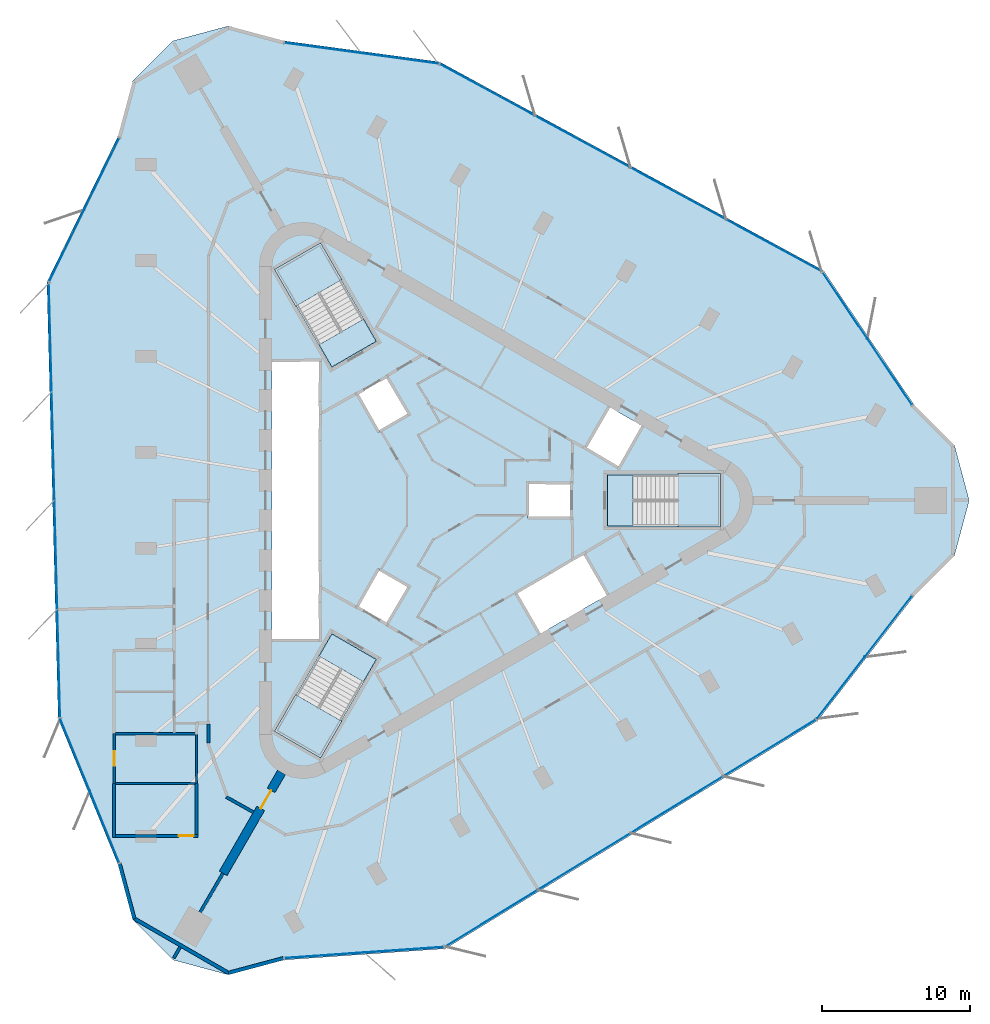
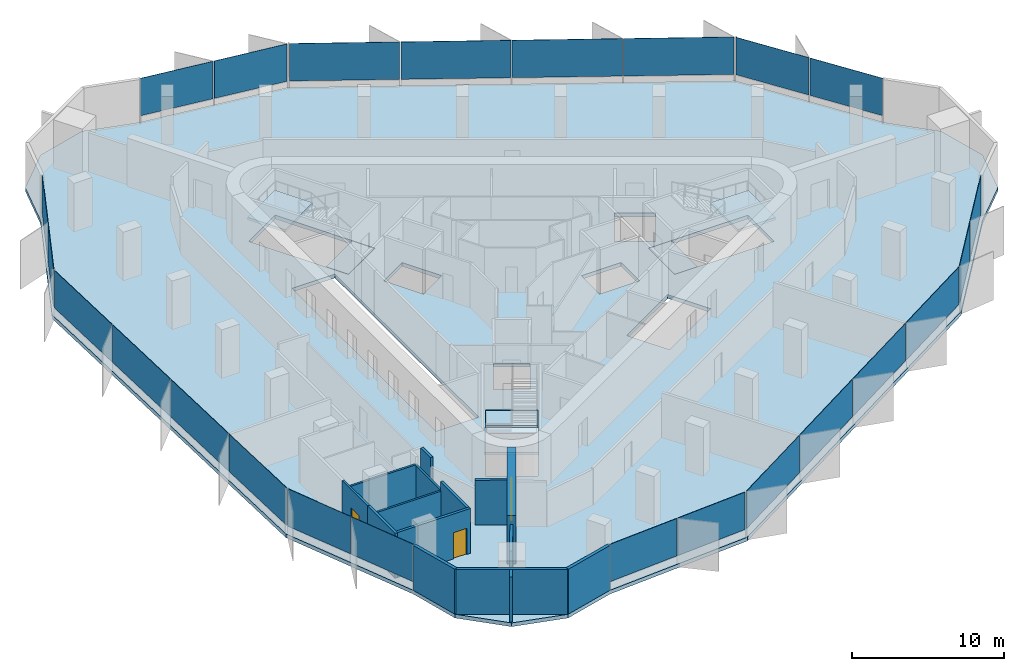
# One storey, part 6 of 12: 24 plates, 15 walls, 7 slabs, 3 doors, 3 openings, 12 elements without a shape of their own.
"""IFC4 building model written with IfcOpenShell, lengths in metres."""

from ifc_helpers import new_model, si_unit, direction, frame, frame_2d, origin, origin_2d, place, context, subcontext, project, spatial, polyline, rectangle, outline, extrude, material, layer, layer_set, type_object, element, fill, aggregate, save


model = new_model("IFC4")

# Units and contexts
model_context = context("Model", 3, precision=1e-05, world=origin(), true_north=direction((0.0, 1.0)))
body_context = subcontext(model_context, "Body", "Model", "MODEL_VIEW")
ifc_project = project(units=[si_unit("LENGTHUNIT", "METRE"), si_unit("AREAUNIT", "SQUARE_METRE"), si_unit("VOLUMEUNIT", "CUBIC_METRE"), si_unit("PLANEANGLEUNIT", "RADIAN"), si_unit("MASSUNIT", "GRAM", prefix="KILO")], contexts=[model_context])

# Site, building, storey
site_placement = place(None, origin())
site = spatial("IfcSite", under=ifc_project, at=site_placement, CompositionType="ELEMENT")
building_placement = place(site_placement, origin())
building = spatial("IfcBuilding", under=site, at=building_placement, Name="Tanit Gate Tower", CompositionType="ELEMENT")
storey_placement = place(building_placement, frame((0.0, 0.0, 353.300048828125)))
storey = spatial("IfcBuildingStorey", under=building, at=storey_placement, Name="L80", CompositionType="ELEMENT", Elevation=353.300048828125)

# Slab
ifc_material_1 = material(Name="Concrete C35/45", Category="concrete")
ifc_layer_1 = layer(ifc_material_1, 0.300048828125)
ifc_layer_set_1 = layer_set([ifc_layer_1], Name="FLOOR SLAB 300 C35/45")
slab_type_1 = type_object("IfcSlabType", Name="FLOOR SLAB 300 C35/45", PredefinedType="FLOOR", material=ifc_layer_set_1)
slab_1_placement = place(storey_placement, frame((0.0, 0.0, -0.300048828125)))
element("IfcSlab", 1, at=slab_1_placement, inside=storey, type_object=slab_type_1, Name="FLOOR SLAB L80", PredefinedType="FLOOR", context=body_context, shape_type="SweptSolid", body=[
    extrude(outline(polyline([(32.01708984375, 6.447021484375), (34.741943359375, 3.72216796875), (35.7392578125, 0.0), (34.741943359375, -3.72216796875), (32.01708984375, -6.447021484375), (25.5380859375, -14.828125), (0.45361328125, -30.19091796875), (-10.42529296875, -30.951171875), (-14.1474609375, -31.948486328125), (-17.86962890625, -30.951171875), (-20.594482421875, -28.226318359375), (-21.591796875, -24.50439453125), (-25.610595703125, -14.70263671875), (-26.373046875, 14.70263671875), (-21.591796875, 24.50439453125), (-20.594482421875, 28.226318359375), (-17.86962890625, 30.951171875), (-14.1474609375, 31.948486328125), (-10.42529296875, 30.951171875), (0.072509765625, 29.530517578125), (25.919189453125, 15.48828125), (32.01708984375, 6.447021484375)]), holes=[polyline([(11.3701171875, 1.72998046875), (18.929931640625, 1.72998046875), (18.929931640625, -1.72998046875), (11.3701171875, -1.72998046875), (11.3701171875, 1.72998046875)]), polyline([(12.158935546875, 2.159912109375), (9.82080078125, 3.510009765625), (11.44580078125, 6.324462890625), (13.783935546875, 4.974609375), (12.158935546875, 2.159912109375)]), polyline([(11.44580078125, -6.324462890625), (6.76904296875, -9.0244140625), (5.14404296875, -6.2099609375), (9.82080078125, -3.510009765625), (11.44580078125, -6.324462890625)]), polyline([(6.0, 1.199951171875), (9.0, 1.199951171875), (9.0, -1.199951171875), (6.0, -1.199951171875), (6.0, 1.199951171875)]), polyline([(-4.039306640625, 4.59619140625), (-5.539306640625, 7.194091796875), (-3.460693359375, 8.394287109375), (-1.960693359375, 5.796142578125), (-4.039306640625, 4.59619140625)]), polyline([(-1.960693359375, -5.796142578125), (-3.460693359375, -8.394287109375), (-5.539306640625, -7.194091796875), (-4.039306640625, -4.59619140625), (-1.960693359375, -5.796142578125)]), polyline([(-7.18310546875, 8.981689453125), (-10.963134765625, 15.52880859375), (-7.966796875, 17.2587890625), (-4.186767578125, 10.711669921875), (-7.18310546875, 8.981689453125)]), polyline([(-4.186767578125, -10.711669921875), (-7.966796875, -17.2587890625), (-10.963134765625, -15.52880859375), (-7.18310546875, -8.981689453125), (-4.186767578125, -10.711669921875)]), polyline([(-11.199951171875, -9.449951171875), (-11.199951171875, 9.449951171875), (-7.949951171875, 9.449951171875), (-7.949951171875, -9.449951171875), (-11.199951171875, -9.449951171875)])]), origin(), (0.0, 0.0, 1.0), 0.300048828125),
])

# Curtain wall, plates
ifc_material_2 = material(Name="Aluminium bronze anodised and glass", Category="aluminium")
curtain_wall_type = type_object("IfcCurtainWallType", Name="Curtain wall typical high", PredefinedType="NOTDEFINED", material=ifc_material_2)
curtain_wall_1_placement = place(storey_placement, origin())
curtain_wall_1 = element("IfcCurtainWall", 2, at=curtain_wall_1_placement, inside=storey, type_object=curtain_wall_type, Name="Curtain wall L80 NE1", PredefinedType="NOTDEFINED")
ifc_material_3 = material(Name="Glass tinted", Category="glass")
ifc_layer_2 = layer(ifc_material_3, 0.028076171875)
ifc_layer_set_2 = layer_set([ifc_layer_2], Name="Glass panel 28 typical high")
plate_type = type_object("IfcPlateType", Name="Glass panel 28 typical high", PredefinedType="CURTAIN_PANEL", material=ifc_layer_set_2)
plate_1_placement = place(storey_placement, frame((30.39111328125, 8.6435546875, 0.599853515625), z_axis=(0.0, 0.0, 1.0), x_axis=(-0.559147523084, 0.829068180206, 0.0)))
plate_1 = element("IfcPlate", 3, at=plate_1_placement, type_object=plate_type, Name="Glass panel L80 NE1.1", PredefinedType="CURTAIN_PANEL", context=body_context, shape_type="SweptSolid", body=[
    extrude(rectangle(XDim=5.323974609375, YDim=0.028076171875, at=origin_2d()), origin(), (0.0, 0.0, 1.0), 3.0),
])
plate_2_placement = place(storey_placement, frame((27.369384765625, 13.123779296875, 0.599853515625), z_axis=(0.0, 0.0, 1.0), x_axis=(-0.559147523084, 0.829068180206, 0.0)))
plate_2 = element("IfcPlate", 4, at=plate_2_placement, type_object=plate_type, Name="Glass panel L80 NE1.2", PredefinedType="CURTAIN_PANEL", context=body_context, shape_type="SweptSolid", body=[
    extrude(rectangle(XDim=5.323974609375, YDim=0.028076171875, at=origin_2d()), origin(), (0.0, 0.0, 1.0), 3.0),
])
aggregate(curtain_wall_1, [plate_1, plate_2])

curtain_wall_2_placement = place(storey_placement, origin())
curtain_wall_2 = element("IfcCurtainWall", 5, at=curtain_wall_2_placement, inside=storey, type_object=curtain_wall_type, Name="Curtain wall L80 NE2", PredefinedType="NOTDEFINED")
plate_3_placement = place(storey_placement, frame((22.584716796875, 17.16357421875, 0.599853515625), z_axis=(0.0, 0.0, 1.0), x_axis=(-0.87869633876, 0.477381131015, 0.0)))
plate_3 = element("IfcPlate", 6, at=plate_3_placement, type_object=plate_type, Name="Glass panel L80 NE2.1", PredefinedType="CURTAIN_PANEL", context=body_context, shape_type="SweptSolid", body=[
    extrude(rectangle(XDim=7.240966796875, YDim=0.028076171875, at=origin_2d()), origin(), (0.0, 0.0, 1.0), 3.0),
])
plate_4_placement = place(storey_placement, frame((16.15185546875, 20.658447265625, 0.599853515625), z_axis=(0.0, 0.0, 1.0), x_axis=(-0.87869633876, 0.477381131015, 0.0)))
plate_4 = element("IfcPlate", 7, at=plate_4_placement, type_object=plate_type, Name="Glass panel L80 NE2.2", PredefinedType="CURTAIN_PANEL", context=body_context, shape_type="SweptSolid", body=[
    extrude(rectangle(XDim=7.240966796875, YDim=0.028076171875, at=origin_2d()), origin(), (0.0, 0.0, 1.0), 3.0),
])
plate_5_placement = place(storey_placement, frame((9.718994140625, 24.1533203125, 0.599853515625), z_axis=(0.0, 0.0, 1.0), x_axis=(-0.87869633876, 0.477381131015, 0.0)))
plate_5 = element("IfcPlate", 8, at=plate_5_placement, type_object=plate_type, Name="Glass panel L80 NE2.3", PredefinedType="CURTAIN_PANEL", context=body_context, shape_type="SweptSolid", body=[
    extrude(rectangle(XDim=7.240966796875, YDim=0.028076171875, at=origin_2d()), origin(), (0.0, 0.0, 1.0), 3.0),
])
plate_6_placement = place(storey_placement, frame((3.2861328125, 27.648193359375, 0.599853515625), z_axis=(0.0, 0.0, 1.0), x_axis=(-0.87869633876, 0.477381131015, 0.0)))
plate_6 = element("IfcPlate", 9, at=plate_6_placement, type_object=plate_type, Name="Glass panel L80 NE2.4", PredefinedType="CURTAIN_PANEL", context=body_context, shape_type="SweptSolid", body=[
    extrude(rectangle(XDim=7.240966796875, YDim=0.028076171875, at=origin_2d()), origin(), (0.0, 0.0, 1.0), 3.0),
])
aggregate(curtain_wall_2, [plate_3, plate_4, plate_5, plate_6])

curtain_wall_3_placement = place(storey_placement, origin())
curtain_wall_3 = element("IfcCurtainWall", 10, at=curtain_wall_3_placement, inside=storey, type_object=curtain_wall_type, Name="Curtain wall L80 NE3", PredefinedType="NOTDEFINED")
plate_7_placement = place(storey_placement, frame((-2.606201171875, 29.77197265625, 0.599853515625), z_axis=(0.0, 0.0, 1.0), x_axis=(-0.990968554207, 0.134094461382, 0.0)))
plate_7 = element("IfcPlate", 11, at=plate_7_placement, type_object=plate_type, Name="Glass panel L80 NE3.1", PredefinedType="CURTAIN_PANEL", context=body_context, shape_type="SweptSolid", body=[
    extrude(rectangle(XDim=5.169677734375, YDim=0.028076171875, at=origin_2d()), origin(), (0.0, 0.0, 1.0), 3.0),
])
plate_8_placement = place(storey_placement, frame((-7.808349609375, 30.475830078125, 0.599853515625), z_axis=(0.0, 0.0, 1.0), x_axis=(-0.990968554207, 0.134094461382, 0.0)))
plate_8 = element("IfcPlate", 12, at=plate_8_placement, type_object=plate_type, Name="Glass panel L80 NE3.2", PredefinedType="CURTAIN_PANEL", context=body_context, shape_type="SweptSolid", body=[
    extrude(rectangle(XDim=5.169677734375, YDim=0.028076171875, at=origin_2d()), origin(), (0.0, 0.0, 1.0), 3.0),
])
aggregate(curtain_wall_3, [plate_7, plate_8])

curtain_wall_4_placement = place(storey_placement, origin())
curtain_wall_4 = element("IfcCurtainWall", 13, at=curtain_wall_4_placement, inside=storey, type_object=curtain_wall_type, Name="Curtain wall L80 W1", PredefinedType="NOTDEFINED")
plate_9_placement = place(storey_placement, frame((-22.680908203125, 21.99755859375, 0.599853515625), z_axis=(0.0, 0.0, 1.0), x_axis=(-0.438420343985, -0.898770049556, 0.0)))
plate_9 = element("IfcPlate", 14, at=plate_9_placement, type_object=plate_type, Name="Glass panel L80 W1.1", PredefinedType="CURTAIN_PANEL", context=body_context, shape_type="SweptSolid", body=[
    extrude(rectangle(XDim=5.323974609375, YDim=0.028076171875, at=origin_2d()), origin(), (0.0, 0.0, 1.0), 3.0),
])
plate_10_placement = place(storey_placement, frame((-25.05029296875, 17.140869140625, 0.599853515625), z_axis=(0.0, 0.0, 1.0), x_axis=(-0.438420343985, -0.898770049556, 0.0)))
plate_10 = element("IfcPlate", 15, at=plate_10_placement, type_object=plate_type, Name="Glass panel L80 W1.2", PredefinedType="CURTAIN_PANEL", context=body_context, shape_type="SweptSolid", body=[
    extrude(rectangle(XDim=5.323974609375, YDim=0.028076171875, at=origin_2d()), origin(), (0.0, 0.0, 1.0), 3.0),
])
aggregate(curtain_wall_4, [plate_9, plate_10])

curtain_wall_5_placement = place(storey_placement, origin())
curtain_wall_5 = element("IfcCurtainWall", 16, at=curtain_wall_5_placement, inside=storey, type_object=curtain_wall_type, Name="Curtain wall L80 W2", PredefinedType="NOTDEFINED")
plate_11_placement = place(storey_placement, frame((-26.156494140625, 10.97705078125, 0.599853515625), z_axis=(0.0, 0.0, 1.0), x_axis=(0.025923982634, -0.999663917086, 0.0)))
plate_11 = element("IfcPlate", 17, at=plate_11_placement, type_object=plate_type, Name="Glass panel L80 W2.1", PredefinedType="CURTAIN_PANEL", context=body_context, shape_type="SweptSolid", body=[
    extrude(rectangle(XDim=7.240966796875, YDim=0.028076171875, at=origin_2d()), origin(), (0.0, 0.0, 1.0), 3.0),
])
plate_12_placement = place(storey_placement, frame((-25.966552734375, 3.65869140625, 0.599853515625), z_axis=(0.0, 0.0, 1.0), x_axis=(0.025923982634, -0.999663917086, 0.0)))
plate_12 = element("IfcPlate", 18, at=plate_12_placement, type_object=plate_type, Name="Glass panel L80 W2.2", PredefinedType="CURTAIN_PANEL", context=body_context, shape_type="SweptSolid", body=[
    extrude(rectangle(XDim=7.240966796875, YDim=0.028076171875, at=origin_2d()), origin(), (0.0, 0.0, 1.0), 3.0),
])
plate_13_placement = place(storey_placement, frame((-25.77685546875, -3.65966796875, 0.599853515625), z_axis=(0.0, 0.0, 1.0), x_axis=(0.025923982634, -0.999663917086, 0.0)))
plate_13 = element("IfcPlate", 19, at=plate_13_placement, type_object=plate_type, Name="Glass panel L80 W2.3", PredefinedType="CURTAIN_PANEL", context=body_context, shape_type="SweptSolid", body=[
    extrude(rectangle(XDim=7.240966796875, YDim=0.028076171875, at=origin_2d()), origin(), (0.0, 0.0, 1.0), 3.0),
])
plate_14_placement = place(storey_placement, frame((-25.5869140625, -10.978271484375, 0.599853515625), z_axis=(0.0, 0.0, 1.0), x_axis=(0.025923982634, -0.999663917086, 0.0)))
plate_14 = element("IfcPlate", 20, at=plate_14_placement, type_object=plate_type, Name="Glass panel L80 W2.4", PredefinedType="CURTAIN_PANEL", context=body_context, shape_type="SweptSolid", body=[
    extrude(rectangle(XDim=7.240966796875, YDim=0.028076171875, at=origin_2d()), origin(), (0.0, 0.0, 1.0), 3.0),
])
aggregate(curtain_wall_5, [plate_11, plate_12, plate_13, plate_14])

curtain_wall_6_placement = place(storey_placement, origin())
curtain_wall_6 = element("IfcCurtainWall", 21, at=curtain_wall_6_placement, inside=storey, type_object=curtain_wall_type, Name="Curtain wall L80 W3", PredefinedType="NOTDEFINED")
plate_15_placement = place(storey_placement, frame((-24.480224609375, -17.14306640625, 0.599853515625), z_axis=(0.0, 0.0, 1.0), x_axis=(0.37935506704, -0.925251172986, 0.0)))
plate_15 = element("IfcPlate", 22, at=plate_15_placement, type_object=plate_type, Name="Glass panel L80 W3.1", PredefinedType="CURTAIN_PANEL", context=body_context, shape_type="SweptSolid", body=[
    extrude(rectangle(XDim=5.169677734375, YDim=0.028076171875, at=origin_2d()), origin(), (0.0, 0.0, 1.0), 3.0),
])
plate_16_placement = place(storey_placement, frame((-22.48876953125, -22.000244140625, 0.599853515625), z_axis=(0.0, 0.0, 1.0), x_axis=(0.37935506704, -0.925251172986, 0.0)))
plate_16 = element("IfcPlate", 23, at=plate_16_placement, type_object=plate_type, Name="Glass panel L80 W3.2", PredefinedType="CURTAIN_PANEL", context=body_context, shape_type="SweptSolid", body=[
    extrude(rectangle(XDim=5.169677734375, YDim=0.028076171875, at=origin_2d()), origin(), (0.0, 0.0, 1.0), 3.0),
])
aggregate(curtain_wall_6, [plate_15, plate_16])

curtain_wall_7_placement = place(storey_placement, origin())
curtain_wall_7 = element("IfcCurtainWall", 24, at=curtain_wall_7_placement, inside=storey, type_object=curtain_wall_type, Name="Curtain wall L80 SE1", PredefinedType="NOTDEFINED")
plate_17_placement = place(storey_placement, frame((-7.7099609375, -30.64111328125, 0.599853515625), z_axis=(0.0, 0.0, 1.0), x_axis=(0.997567867069, 0.069701869351, 0.0)))
plate_17 = element("IfcPlate", 25, at=plate_17_placement, type_object=plate_type, Name="Glass panel L80 SE1.1", PredefinedType="CURTAIN_PANEL", context=body_context, shape_type="SweptSolid", body=[
    extrude(rectangle(XDim=5.323974609375, YDim=0.028076171875, at=origin_2d()), origin(), (0.0, 0.0, 1.0), 3.0),
])
plate_18_placement = place(storey_placement, frame((-2.3193359375, -30.264404296875, 0.599853515625), z_axis=(0.0, 0.0, 1.0), x_axis=(0.997567867069, 0.069701869351, 0.0)))
plate_18 = element("IfcPlate", 26, at=plate_18_placement, type_object=plate_type, Name="Glass panel L80 SE1.2", PredefinedType="CURTAIN_PANEL", context=body_context, shape_type="SweptSolid", body=[
    extrude(rectangle(XDim=5.323974609375, YDim=0.028076171875, at=origin_2d()), origin(), (0.0, 0.0, 1.0), 3.0),
])
aggregate(curtain_wall_7, [plate_17, plate_18])

curtain_wall_8_placement = place(storey_placement, origin())
curtain_wall_8 = element("IfcCurtainWall", 27, at=curtain_wall_8_placement, inside=storey, type_object=curtain_wall_type, Name="Curtain wall L80 SE2", PredefinedType="NOTDEFINED")
plate_19_placement = place(storey_placement, frame((3.57177734375, -28.140625, 0.599853515625), z_axis=(0.0, 0.0, 1.0), x_axis=(0.852772356127, 0.522282786071, 0.0)))
plate_19 = element("IfcPlate", 28, at=plate_19_placement, type_object=plate_type, Name="Glass panel L80 SE2.1", PredefinedType="CURTAIN_PANEL", context=body_context, shape_type="SweptSolid", body=[
    extrude(rectangle(XDim=7.240966796875, YDim=0.028076171875, at=origin_2d()), origin(), (0.0, 0.0, 1.0), 3.0),
])
plate_20_placement = place(storey_placement, frame((9.814697265625, -24.317138671875, 0.599853515625), z_axis=(0.0, 0.0, 1.0), x_axis=(0.852772356127, 0.522282786071, 0.0)))
plate_20 = element("IfcPlate", 29, at=plate_20_placement, type_object=plate_type, Name="Glass panel L80 SE2.2", PredefinedType="CURTAIN_PANEL", context=body_context, shape_type="SweptSolid", body=[
    extrude(rectangle(XDim=7.240966796875, YDim=0.028076171875, at=origin_2d()), origin(), (0.0, 0.0, 1.0), 3.0),
])
plate_21_placement = place(storey_placement, frame((16.057861328125, -20.493408203125, 0.599853515625), z_axis=(0.0, 0.0, 1.0), x_axis=(0.852772356127, 0.522282786071, 0.0)))
plate_21 = element("IfcPlate", 30, at=plate_21_placement, type_object=plate_type, Name="Glass panel L80 SE2.3", PredefinedType="CURTAIN_PANEL", context=body_context, shape_type="SweptSolid", body=[
    extrude(rectangle(XDim=7.240966796875, YDim=0.028076171875, at=origin_2d()), origin(), (0.0, 0.0, 1.0), 3.0),
])
plate_22_placement = place(storey_placement, frame((22.301025390625, -16.669921875, 0.599853515625), z_axis=(0.0, 0.0, 1.0), x_axis=(0.852772356127, 0.522282786071, 0.0)))
plate_22 = element("IfcPlate", 31, at=plate_22_placement, type_object=plate_type, Name="Glass panel L80 SE2.4", PredefinedType="CURTAIN_PANEL", context=body_context, shape_type="SweptSolid", body=[
    extrude(rectangle(XDim=7.240966796875, YDim=0.028076171875, at=origin_2d()), origin(), (0.0, 0.0, 1.0), 3.0),
])
aggregate(curtain_wall_8, [plate_19, plate_20, plate_21, plate_22])

curtain_wall_9_placement = place(storey_placement, origin())
curtain_wall_9 = element("IfcCurtainWall", 32, at=curtain_wall_9_placement, inside=storey, type_object=curtain_wall_type, Name="Curtain wall L80 SE3", PredefinedType="NOTDEFINED")
plate_23_placement = place(storey_placement, frame((27.08642578125, -12.62890625, 0.599853515625), z_axis=(0.0, 0.0, 1.0), x_axis=(0.611613487167, 0.791156711604, 0.0)))
plate_23 = element("IfcPlate", 33, at=plate_23_placement, type_object=plate_type, Name="Glass panel L80 SE3.1", PredefinedType="CURTAIN_PANEL", context=body_context, shape_type="SweptSolid", body=[
    extrude(rectangle(XDim=5.169677734375, YDim=0.028076171875, at=origin_2d()), origin(), (0.0, 0.0, 1.0), 3.0),
])
plate_24_placement = place(storey_placement, frame((30.297119140625, -8.4755859375, 0.599853515625), z_axis=(0.0, 0.0, 1.0), x_axis=(0.611613487167, 0.791156711604, 0.0)))
plate_24 = element("IfcPlate", 34, at=plate_24_placement, type_object=plate_type, Name="Glass panel L80 SE3.2", PredefinedType="CURTAIN_PANEL", context=body_context, shape_type="SweptSolid", body=[
    extrude(rectangle(XDim=5.169677734375, YDim=0.028076171875, at=origin_2d()), origin(), (0.0, 0.0, 1.0), 3.0),
])
aggregate(curtain_wall_9, [plate_23, plate_24])

# Stair, slab
ifc_material_4 = material(Name="Concrete C40/50", Category="concrete")
stair_type = type_object("IfcStairType", Name="INT-STAIR-EXIT", PredefinedType="HALF_TURN_STAIR", material=ifc_material_4)
stair_1_placement = place(storey_placement, origin())
stair_1 = element("IfcStair", 35, at=stair_1_placement, inside=storey, type_object=stair_type, Name="L80 STAIR S1", PredefinedType="HALF_TURN_STAIR")
ifc_material_5 = material(Name="Concrete C40/50", Category="concrete")
ifc_layer_3 = layer(ifc_material_5, 0.199951171875)
ifc_layer_set_3 = layer_set([ifc_layer_3], Name="INT-STAIR-LANDING")
slab_type_2 = type_object("IfcSlabType", Name="INT-STAIR-LANDING", PredefinedType="LANDING", material=ifc_layer_set_3)
slab_2_placement = place(storey_placement, frame((0.0, 0.0, 1.75)))
slab_2 = element("IfcSlab", 36, at=slab_2_placement, type_object=slab_type_2, Name="S1 landing 1", PredefinedType="LANDING", context=body_context, shape_type="SweptSolid", body=[
    extrude(outline(polyline([(16.135986328125, -1.800048828125), (19.0, -1.800048828125), (19.0, 1.800048828125), (16.135986328125, 1.800048828125), (16.135986328125, -1.800048828125)])), origin(), (0.0, 0.0, 1.0), 0.199951171875),
])
aggregate(stair_1, [slab_2])

# Slab
slab_3_placement = place(storey_placement, frame((0.0, 0.0, -0.199951171875)))
element("IfcSlab", 37, at=slab_3_placement, inside=storey, type_object=slab_type_2, Name="S1 floor landing", PredefinedType="LANDING", context=body_context, shape_type="SweptSolid", body=[
    extrude(outline(polyline([(11.3798828125, -1.719970703125), (13.10498046875, -1.719970703125), (13.10498046875, 1.719970703125), (11.3798828125, 1.719970703125), (11.3798828125, -1.719970703125)])), origin(), (0.0, 0.0, 1.0), 0.199951171875),
])

# Stair, slab
stair_2_placement = place(storey_placement, origin())
stair_2 = element("IfcStair", 38, at=stair_2_placement, inside=storey, type_object=stair_type, Name="L80 STAIR S2", PredefinedType="HALF_TURN_STAIR")
slab_4_placement = place(storey_placement, frame((0.0, 0.0, 1.75)))
slab_4 = element("IfcSlab", 39, at=slab_4_placement, type_object=slab_type_2, Name="S2 landing 1", PredefinedType="LANDING", context=body_context, shape_type="SweptSolid", body=[
    extrude(outline(polyline([(-6.5078125, 14.871826171875), (-7.941162109375, 17.3544921875), (-11.058837890625, 15.554443359375), (-9.62548828125, 13.07177734375), (-6.5078125, 14.871826171875)])), origin(), (0.0, 0.0, 1.0), 0.199951171875),
])
aggregate(stair_2, [slab_4])

# Slab
slab_5_placement = place(storey_placement, frame((0.0, 0.0, -0.199951171875)))
element("IfcSlab", 40, at=slab_5_placement, inside=storey, type_object=slab_type_2, Name="S2 floor landing", PredefinedType="LANDING", context=body_context, shape_type="SweptSolid", body=[
    extrude(outline(polyline([(-4.200439453125, 10.71533203125), (-5.0625, 12.20849609375), (-8.04150390625, 10.48828125), (-7.179443359375, 8.995361328125), (-4.200439453125, 10.71533203125)])), origin(), (0.0, 0.0, 1.0), 0.199951171875),
])

# Stair, slab
stair_3_placement = place(storey_placement, origin())
stair_3 = element("IfcStair", 41, at=stair_3_placement, inside=storey, type_object=stair_type, Name="L80 STAIR S3", PredefinedType="HALF_TURN_STAIR")
slab_6_placement = place(storey_placement, frame((0.0, 0.0, 1.75)))
slab_6 = element("IfcSlab", 42, at=slab_6_placement, type_object=slab_type_2, Name="S3 landing 1", PredefinedType="LANDING", context=body_context, shape_type="SweptSolid", body=[
    extrude(outline(polyline([(-9.626953125, -13.07421875), (-11.058837890625, -15.554443359375), (-7.941162109375, -17.3544921875), (-6.509033203125, -14.874267578125), (-9.626953125, -13.07421875)])), origin(), (0.0, 0.0, 1.0), 0.199951171875),
])
aggregate(stair_3, [slab_6])

# Slab
slab_7_placement = place(storey_placement, frame((0.0, 0.0, -0.199951171875)))
element("IfcSlab", 43, at=slab_7_placement, inside=storey, type_object=slab_type_2, Name="S3 floor landing", PredefinedType="LANDING", context=body_context, shape_type="SweptSolid", body=[
    extrude(outline(polyline([(-7.179443359375, -8.995361328125), (-8.0419921875, -10.4892578125), (-5.06298828125, -12.209228515625), (-4.200439453125, -10.71533203125), (-7.179443359375, -8.995361328125)])), origin(), (0.0, 0.0, 1.0), 0.199951171875),
])

# Wall, opening, door
ifc_material_6 = material(Name="Concrete C40/50", Category="concrete")
ifc_layer_4 = layer(ifc_material_6, 0.60009765625)
ifc_layer_set_4 = layer_set([ifc_layer_4], Name="BUTTRESS FIN 600 C40/50")
wall_type_1 = type_object("IfcWallType", Name="BUTTRESS FIN 600 C40/50", PredefinedType="SHEAR", material=ifc_layer_set_4)
wall_1_placement = place(storey_placement, frame((-10.574951171875, -18.31640625, 0.0), z_axis=(0.0, 0.0, 1.0), x_axis=(-0.500010354293, -0.866019425648, 0.0)))
wall_1 = element("IfcWall", 44, at=wall_1_placement, inside=storey, type_object=wall_type_1, Name="BUTTRESS FIN", PredefinedType="SHEAR", context=body_context, shape_type="SweptSolid", body=[
    extrude(rectangle(XDim=7.854248046875, YDim=0.60009765625, at=frame_2d((3.92724609375, 0.0))), origin(), (0.0, 0.0, 1.0), 3.89990234375),
])
opening_1_placement = place(wall_1_placement, frame((1.39990234375, 0.0, 0.0)))
opening_1 = element("IfcOpeningElement", 45, at=opening_1_placement, cuts=wall_1, Name="Opening P14-S22-F-SW-1", PredefinedType="OPENING", context=body_context, shape_type="SweptSolid", body=[
    extrude(rectangle(XDim=1.39990234375, YDim=2.39990234375, at=frame_2d((0.699951171875, 1.199951171875))), frame((0.0, 0.31005859375, 0.0), z_axis=(0.0, -1.0, 0.0), x_axis=(1.0, 0.0, 0.0)), (0.0, 0.0, 1.0), 0.6201171875),
])
ifc_material_7 = material(Name="Timber door leaf", Category="wood")
door_type_1 = type_object("IfcDoorType", Name="INT-DOOR-FIN-PAIR-1400", OperationType="NOTDEFINED", PredefinedType="NOTDEFINED", material=ifc_material_7)
door_1_placement = place(opening_1_placement, origin())
door_1 = element("IfcDoor", 46, at=door_1_placement, inside=storey, type_object=door_type_1, Name="Door P14-S22-F-SW-1", OperationType="DOUBLE_DOOR_SINGLE_SWING", OverallHeight=2.39990234375, OverallWidth=1.39990234375, PredefinedType="NOTDEFINED", context=body_context, shape_type="SweptSolid", body=[
    extrude(rectangle(XDim=1.39990234375, YDim=2.39990234375, at=frame_2d((0.699951171875, 1.199951171875))), frame((0.0, 0.02490234375, 0.0), z_axis=(0.0, -1.0, 0.0), x_axis=(1.0, 0.0, 0.0)), (0.0, 0.0, 1.0), 0.050048828125),
])
fill(opening_1, door_1)

# Walls
ifc_material_8 = material(Name="Concrete C30/37 with bronze anodised aluminium cladding", Category="concrete")
ifc_layer_5 = layer(ifc_material_8, 0.239990234375)
ifc_layer_set_5 = layer_set([ifc_layer_5], Name="Facade wall bronze clad 240")
wall_type_2 = type_object("IfcWallType", Name="Facade wall bronze clad 240", PredefinedType="SOLIDWALL", material=ifc_layer_set_5)
wall_2_placement = place(storey_placement, frame((-21.477783203125, -24.4658203125, 0.0), z_axis=(0.0, 0.0, 1.0), x_axis=(0.258809388801, -0.965928413636, 0.0)))
element("IfcWall", 47, at=wall_2_placement, inside=storey, type_object=wall_type_2, Name="Bronze-clad facade wall L80 SW.arc1", PredefinedType="SOLIDWALL", context=body_context, shape_type="SweptSolid", body=[
    extrude(rectangle(XDim=3.828857421875, YDim=0.239990234375, at=frame_2d((1.91455078125, 0.0))), origin(), (0.0, 0.0, 1.0), 3.599853515625),
])
wall_3_placement = place(storey_placement, frame((-20.48681640625, -28.164306640625, 0.0), z_axis=(0.0, 0.0, 1.0), x_axis=(0.86603229387, -0.499988065832, 0.0)))
element("IfcWall", 48, at=wall_3_placement, inside=storey, type_object=wall_type_2, Name="Bronze-clad facade wall L80 SW.arc2", PredefinedType="SOLIDWALL", context=body_context, shape_type="SweptSolid", body=[
    extrude(rectangle(XDim=7.320068359375, YDim=0.239990234375, at=frame_2d((3.66015625, 0.0))), origin(), (0.0, 0.0, 1.0), 3.599853515625),
])
wall_4_placement = place(storey_placement, frame((-14.1474609375, -31.82421875, 0.0), z_axis=(0.0, 0.0, 1.0), x_axis=(0.965928717423, 0.258808255004, 0.0)))
element("IfcWall", 49, at=wall_4_placement, inside=storey, type_object=wall_type_2, Name="Bronze-clad facade wall L80 SW.arc3", PredefinedType="SOLIDWALL", context=body_context, shape_type="SweptSolid", body=[
    extrude(rectangle(XDim=3.832763671875, YDim=0.239990234375, at=frame_2d((1.91650390625, 0.0))), origin(), (0.0, 0.0, 1.0), 3.599853515625),
])
ifc_material_9 = material(Name="Fire-rated gypsum board partition")
ifc_layer_6 = layer(ifc_material_9, 0.199951171875)
ifc_layer_set_6 = layer_set([ifc_layer_6], Name="INT-WALL-COMPARTMENT")
wall_type_3 = type_object("IfcWallType", Name="INT-WALL-COMPARTMENT", PredefinedType="PARTITIONING", material=ifc_layer_set_6)
wall_5_placement = place(storey_placement, frame((-14.293212890625, -19.9775390625, 0.0), z_axis=(0.0, 0.0, 1.0), x_axis=(0.872510000486, -0.48859625362, 0.0)))
element("IfcWall", 50, at=wall_5_placement, inside=storey, type_object=wall_type_3, Name="Wall Compartment W099", PredefinedType="PARTITIONING", context=body_context, shape_type="SweptSolid", body=[
    extrude(rectangle(XDim=2.089599609375, YDim=0.199951171875, at=frame_2d((1.044921875, 0.0))), origin(), (0.0, 0.0, 1.0), 3.599853515625),
])
wall_6_placement = place(storey_placement, frame((-15.5, -15.070068359375, 0.0), z_axis=(0.0, 0.0, 1.0), x_axis=(0.0, -1.0, 0.0)))
element("IfcWall", 51, at=wall_6_placement, inside=storey, type_object=wall_type_3, Name="Wall Compartment W101", PredefinedType="PARTITIONING", context=body_context, shape_type="SweptSolid", body=[
    extrude(rectangle(XDim=1.2705078125, YDim=0.199951171875, at=frame_2d((0.63525390625, 0.0))), origin(), (0.0, 0.0, 1.0), 3.599853515625),
])
wall_7_placement = place(storey_placement, frame((-17.403076171875, -30.083251953125, 0.0), z_axis=(0.0, 0.0, 1.0), x_axis=(-0.500234662275, -0.86588987906, 0.0)))
element("IfcWall", 52, at=wall_7_placement, inside=storey, type_object=wall_type_3, Name="Wall Compartment W118", PredefinedType="PARTITIONING", context=body_context, shape_type="SweptSolid", body=[
    extrude(rectangle(XDim=0.8525390625, YDim=0.199951171875, at=frame_2d((0.42626953125, 0.0))), origin(), (0.0, 0.0, 1.0), 3.599853515625),
])
wall_8_placement = place(storey_placement, frame((-14.517578125, -25.109619140625, 0.0), z_axis=(0.0, 0.0, 1.0), x_axis=(-0.503475856709, -0.864009294922, 0.0)))
element("IfcWall", 53, at=wall_8_placement, inside=storey, type_object=wall_type_3, Name="Wall Compartment W119", PredefinedType="PARTITIONING", context=body_context, shape_type="SweptSolid", body=[
    extrude(rectangle(XDim=3.03515625, YDim=0.199951171875, at=frame_2d((1.517578125, 0.0))), origin(), (0.0, 0.0, 1.0), 3.169921875),
])
wall_9_placement = place(storey_placement, frame((-21.840087890625, -22.68994140625, 0.0), z_axis=(0.0, 0.0, 1.0), x_axis=(0.0, 1.0, 0.0)))
element("IfcWall", 54, at=wall_9_placement, inside=storey, type_object=wall_type_3, Name="Wall Compartment W126", PredefinedType="PARTITIONING", context=body_context, shape_type="SweptSolid", body=[
    extrude(rectangle(XDim=3.637939453125, YDim=0.199951171875, at=frame_2d((1.81884765625, 0.0))), origin(), (0.0, 0.0, 1.0), 3.599853515625),
])

# Wall, opening, door
wall_10_placement = place(storey_placement, frame((-21.739990234375, -22.590087890625, 0.0), z_axis=(0.0, 0.0, 1.0), x_axis=(1.0, 0.0, 0.0)))
wall_10 = element("IfcWall", 55, at=wall_10_placement, inside=storey, type_object=wall_type_3, Name="Wall Compartment W127", PredefinedType="PARTITIONING", context=body_context, shape_type="SweptSolid", body=[
    extrude(rectangle(XDim=5.5400390625, YDim=0.199951171875, at=frame_2d((2.77001953125, 0.0))), origin(), (0.0, 0.0, 1.0), 3.599853515625),
])
opening_2_placement = place(wall_10_placement, frame((4.239990234375, 0.0, 0.0)))
opening_2 = element("IfcOpeningElement", 56, at=opening_2_placement, cuts=wall_10, Name="Opening F10-S22-25", PredefinedType="OPENING", context=body_context, shape_type="SweptSolid", body=[
    extrude(rectangle(XDim=1.0, YDim=2.10009765625, at=frame_2d((0.5, 1.050048828125))), frame((0.0, 0.10986328125, 0.0), z_axis=(0.0, -1.0, 0.0), x_axis=(1.0, 0.0, 0.0)), (0.0, 0.0, 1.0), 0.219970703125),
])
ifc_material_10 = material(Name="Fire-rated steel door leaf", Category="steel")
door_type_2 = type_object("IfcDoorType", Name="INT-DOOR-FIRE-1000", OperationType="NOTDEFINED", PredefinedType="USERDEFINED", material=ifc_material_10)
door_2_placement = place(opening_2_placement, origin())
door_2 = element("IfcDoor", 57, at=door_2_placement, inside=storey, type_object=door_type_2, Name="Door F10-S22-25", ObjectType="FIRE DOOR", OperationType="SINGLE_SWING_RIGHT", OverallHeight=2.10009765625, OverallWidth=1.0, PredefinedType="USERDEFINED", context=body_context, shape_type="SweptSolid", body=[
    extrude(rectangle(XDim=1.0, YDim=2.10009765625, at=frame_2d((0.5, 1.050048828125))), frame((0.0, 0.02490234375, 0.0), z_axis=(0.0, -1.0, 0.0), x_axis=(1.0, 0.0, 0.0)), (0.0, 0.0, 1.0), 0.050048828125),
])
fill(opening_2, door_2)

# Wall
wall_11_placement = place(storey_placement, frame((-16.300048828125, -22.489990234375, 0.0), z_axis=(0.0, 0.0, 1.0), x_axis=(0.0, 1.0, 0.0)))
element("IfcWall", 58, at=wall_11_placement, inside=storey, type_object=wall_type_3, Name="Wall Compartment W128", PredefinedType="PARTITIONING", context=body_context, shape_type="SweptSolid", body=[
    extrude(rectangle(XDim=3.43798828125, YDim=0.199951171875, at=frame_2d((1.718994140625, 0.0))), origin(), (0.0, 0.0, 1.0), 3.599853515625),
])

# Wall, opening, door
ifc_material_11 = material(Name="Fire-rated gypsum board partition")
ifc_layer_7 = layer(ifc_material_11, 0.14990234375)
ifc_layer_set_7 = layer_set([ifc_layer_7], Name="INT-WALL-RISER")
wall_type_4 = type_object("IfcWallType", Name="INT-WALL-RISER", PredefinedType="PLUMBINGWALL", material=ifc_layer_set_7)
wall_12_placement = place(storey_placement, frame((-21.840087890625, -19.052001953125, 0.0), z_axis=(0.0, 0.0, 1.0), x_axis=(0.0, 1.0, 0.0)))
wall_12 = element("IfcWall", 59, at=wall_12_placement, inside=storey, type_object=wall_type_4, Name="Wall Riser W124", PredefinedType="PLUMBINGWALL", context=body_context, shape_type="SweptSolid", body=[
    extrude(rectangle(XDim=3.34765625, YDim=0.14990234375, at=frame_2d((1.673828125, 0.0))), origin(), (0.0, 0.0, 1.0), 3.599853515625),
])
opening_3_placement = place(wall_12_placement, frame((1.170166015625, 0.0, 0.0)))
opening_3 = element("IfcOpeningElement", 60, at=opening_3_placement, cuts=wall_12, Name="Opening F10-S22-24", PredefinedType="OPENING", context=body_context, shape_type="SweptSolid", body=[
    extrude(rectangle(XDim=1.0, YDim=2.10009765625, at=frame_2d((0.5, 1.050048828125))), frame((0.0, 0.0849609375, 0.0), z_axis=(0.0, -1.0, 0.0), x_axis=(1.0, 0.0, 0.0)), (0.0, 0.0, 1.0), 0.169921875),
])
door_3_placement = place(opening_3_placement, origin())
door_3 = element("IfcDoor", 61, at=door_3_placement, inside=storey, type_object=door_type_2, Name="Door F10-S22-24", ObjectType="FIRE DOOR", OperationType="SINGLE_SWING_RIGHT", OverallHeight=2.10009765625, OverallWidth=1.0, PredefinedType="USERDEFINED", context=body_context, shape_type="SweptSolid", body=[
    extrude(rectangle(XDim=1.0, YDim=2.10009765625, at=frame_2d((0.5, 1.050048828125))), frame((0.0, 0.02490234375, 0.0), z_axis=(0.0, -1.0, 0.0), x_axis=(1.0, 0.0, 0.0)), (0.0, 0.0, 1.0), 0.050048828125),
])
fill(opening_3, door_3)

# Walls
wall_13_placement = place(storey_placement, frame((-16.300048828125, -19.052001953125, 0.0), z_axis=(0.0, 0.0, 1.0), x_axis=(0.0, 1.0, 0.0)))
element("IfcWall", 62, at=wall_13_placement, inside=storey, type_object=wall_type_4, Name="Wall Riser W125", PredefinedType="PLUMBINGWALL", context=body_context, shape_type="SweptSolid", body=[
    extrude(rectangle(XDim=3.415283203125, YDim=0.14990234375, at=frame_2d((1.70751953125, 0.0))), origin(), (0.0, 0.0, 1.0), 2.8798828125),
])
wall_14_placement = place(storey_placement, frame((-16.375, -15.711669921875, 0.0), z_axis=(0.0, 0.0, 1.0), x_axis=(-1.0, 0.0, 0.0)))
element("IfcWall", 63, at=wall_14_placement, inside=storey, type_object=wall_type_4, Name="Wall Riser W136", PredefinedType="PLUMBINGWALL", context=body_context, shape_type="SweptSolid", body=[
    extrude(rectangle(XDim=5.364990234375, YDim=0.14990234375, at=frame_2d((2.6826171875, 0.0))), origin(), (0.0, 0.0, 1.0), 2.969970703125),
])
wall_15_placement = place(storey_placement, frame((-16.375, -19.0595703125, 0.0), z_axis=(0.0, 0.0, 1.0), x_axis=(-1.0, 0.0, 0.0)))
element("IfcWall", 64, at=wall_15_placement, inside=storey, type_object=wall_type_4, Name="Wall Riser W137", PredefinedType="PLUMBINGWALL", context=body_context, shape_type="SweptSolid", body=[
    extrude(rectangle(XDim=5.389892578125, YDim=0.14990234375, at=frame_2d((2.69482421875, 0.0))), origin(), (0.0, 0.0, 1.0), 2.8798828125),
])

save(model, "model.ifc")
